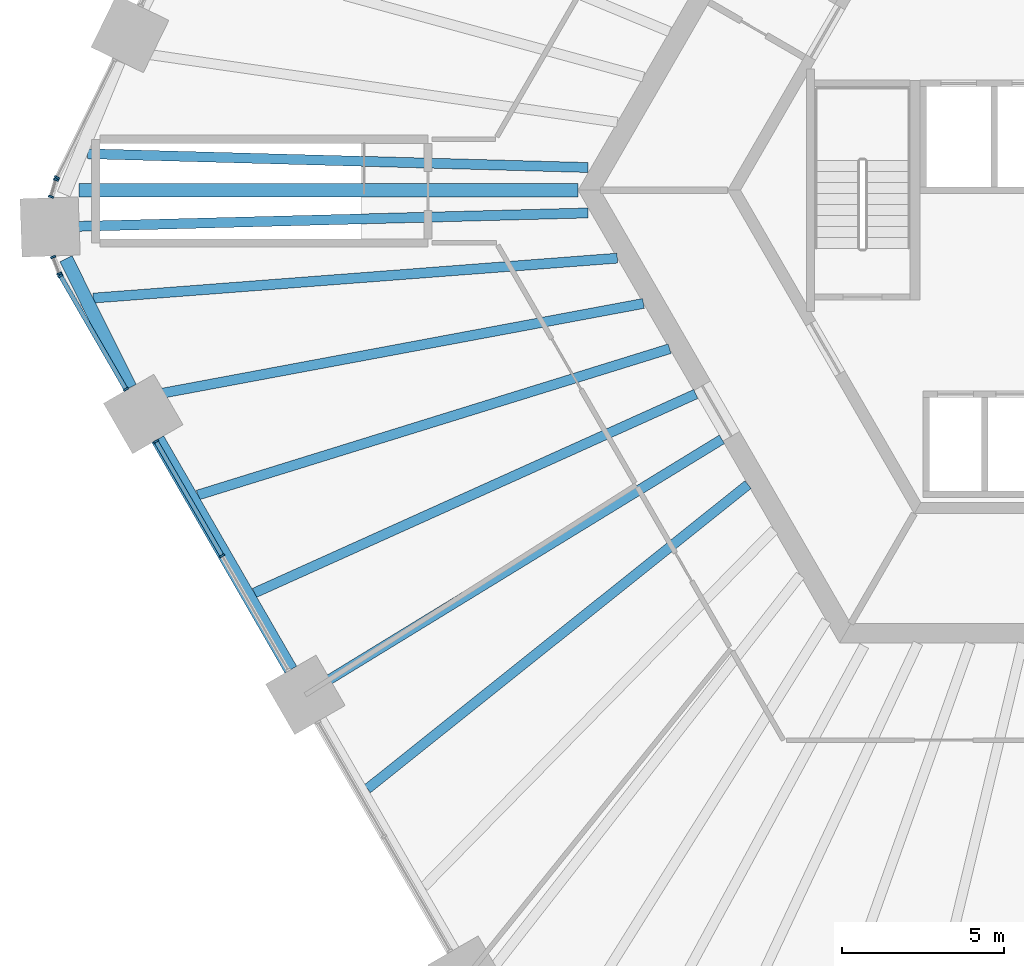
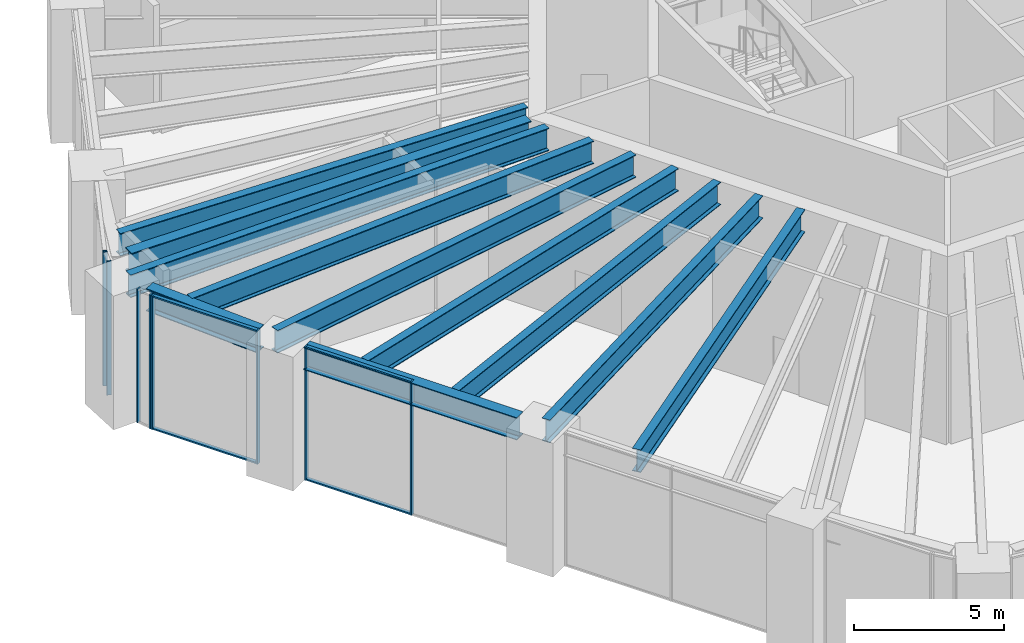
# One storey, part 3 of 25: 13 members, 11 beams, 5 elements without a shape of their own.
"""IFC4 building model written with IfcOpenShell, lengths in metres."""

from ifc_helpers import new_model, si_unit, direction, frame, origin, origin_2d, place, context, subcontext, project, spatial, rectangle, i_section, extrude, material, material_profile, profile_set, type_object, element, aggregate, save


model = new_model("IFC4")

# Units and contexts
model_context = context("Model", 3, precision=1e-05, world=origin(), true_north=direction((0.0, 1.0)))
body_context = subcontext(model_context, "Body", "Model", "MODEL_VIEW")
ifc_project = project(units=[si_unit("LENGTHUNIT", "METRE"), si_unit("AREAUNIT", "SQUARE_METRE"), si_unit("VOLUMEUNIT", "CUBIC_METRE"), si_unit("PLANEANGLEUNIT", "RADIAN"), si_unit("MASSUNIT", "GRAM", prefix="KILO")], contexts=[model_context])

# Site, building, storey
site_placement = place(None, origin())
site = spatial("IfcSite", under=ifc_project, at=site_placement, CompositionType="ELEMENT")
building_placement = place(site_placement, origin())
building = spatial("IfcBuilding", under=site, at=building_placement, Name="Tarnside Tower", CompositionType="ELEMENT")
storey_placement = place(building_placement, frame((0.0, 0.0, 26.0)))
storey = spatial("IfcBuildingStorey", under=building, at=storey_placement, Name="L04", CompositionType="ELEMENT", Elevation=26.0)

# Beams
ifc_material_1 = material(Name="Steel S355", Category="steel")
ifc_material_profile_1 = material_profile(ifc_material_1, i_section(OverallWidth=0.3076171875, OverallDepth=0.926513671875, WebThickness=0.01953125, FlangeThickness=0.031982421875, FilletRadius=0.01904296875, at=origin_2d()), Name="UB 914x305x289")
ifc_profile_set_1 = profile_set([ifc_material_profile_1], Name="Steel S355")
beam_type_1 = type_object("IfcBeamType", Name="Floor beam UB 914x305x289", PredefinedType="BEAM", material=ifc_profile_set_1)
beam_1_placement = place(storey_placement, frame((-31.3232421875, 1.1279296875, 4.73681640625), z_axis=(0.999621916904, -0.027495876889, 0.0), x_axis=(0.027495876889, 0.999621916904, 0.0)))
element("IfcBeam", 1, at=beam_1_placement, inside=storey, type_object=beam_type_1, Name="Floor beam F2.09", PredefinedType="BEAM", context=body_context, shape_type="SweptSolid", body=[
    extrude(i_section(OverallWidth=0.3076171875, OverallDepth=0.926513671875, WebThickness=0.01953125, FlangeThickness=0.031982421875, FilletRadius=0.01904296875, at=origin_2d()), origin(), (0.0, 0.0, 1.0), 15.467529296875),
])
beam_2_placement = place(storey_placement, frame((-32.251708984375, -1.133544921875, 4.73681640625), z_axis=(0.999654578546, 0.026281620805, 0.0), x_axis=(-0.026281620805, 0.999654578546, 0.0)))
element("IfcBeam", 2, at=beam_2_placement, inside=storey, type_object=beam_type_1, Name="Floor beam C2", PredefinedType="BEAM", context=body_context, shape_type="SweptSolid", body=[
    extrude(i_section(OverallWidth=0.3076171875, OverallDepth=0.926513671875, WebThickness=0.01953125, FlangeThickness=0.031982421875, FilletRadius=0.01904296875, at=origin_2d()), origin(), (0.0, 0.0, 1.0), 16.395751953125),
])
beam_3_placement = place(storey_placement, frame((-31.15625, -3.33447265625, 4.73681640625), z_axis=(0.997110688509, 0.075962325269, 0.0), x_axis=(-0.075962325269, 0.997110688509, 0.0)))
element("IfcBeam", 3, at=beam_3_placement, inside=storey, type_object=beam_type_1, Name="Floor beam F3.01", PredefinedType="BEAM", context=body_context, shape_type="SweptSolid", body=[
    extrude(i_section(OverallWidth=0.3076171875, OverallDepth=0.926513671875, WebThickness=0.01953125, FlangeThickness=0.031982421875, FilletRadius=0.01904296875, at=origin_2d()), origin(), (0.0, 0.0, 1.0), 16.249755859375),
])
beam_4_placement = place(storey_placement, frame((-29.635498046875, -6.389892578125, 4.73681640625), z_axis=(0.983039284809, 0.183395104955, 0.0), x_axis=(-0.183395104955, 0.983039284809, 0.0)))
element("IfcBeam", 4, at=beam_4_placement, inside=storey, type_object=beam_type_1, Name="Floor beam F3.02", PredefinedType="BEAM", context=body_context, shape_type="SweptSolid", body=[
    extrude(i_section(OverallWidth=0.3076171875, OverallDepth=0.926513671875, WebThickness=0.01953125, FlangeThickness=0.031982421875, FilletRadius=0.01904296875, at=origin_2d()), origin(), (0.0, 0.0, 1.0), 15.7578125),
])
beam_5_placement = place(storey_placement, frame((-27.919189453125, -9.422119140625, 4.73681640625), z_axis=(0.955125617377, 0.2962010382, 0.0), x_axis=(-0.2962010382, 0.955125617377, 0.0)))
element("IfcBeam", 5, at=beam_5_placement, inside=storey, type_object=beam_type_1, Name="Floor beam F3.03", PredefinedType="BEAM", context=body_context, shape_type="SweptSolid", body=[
    extrude(i_section(OverallWidth=0.3076171875, OverallDepth=0.926513671875, WebThickness=0.01953125, FlangeThickness=0.031982421875, FilletRadius=0.01904296875, at=origin_2d()), origin(), (0.0, 0.0, 1.0), 15.267333984375),
])
beam_6_placement = place(storey_placement, frame((-26.171875, -12.44873046875, 4.73681640625), z_axis=(0.911691503599, 0.410875409662, 0.0), x_axis=(-0.410875409662, 0.911691503599, 0.0)))
element("IfcBeam", 6, at=beam_6_placement, inside=storey, type_object=beam_type_1, Name="Floor beam F3.04", PredefinedType="BEAM", context=body_context, shape_type="SweptSolid", body=[
    extrude(i_section(OverallWidth=0.3076171875, OverallDepth=0.926513671875, WebThickness=0.01953125, FlangeThickness=0.031982421875, FilletRadius=0.01904296875, at=origin_2d()), origin(), (0.0, 0.0, 1.0), 14.96484375),
])
beam_7_placement = place(storey_placement, frame((-24.42431640625, -15.47509765625, 4.73681640625), z_axis=(0.852937246249, 0.522013461475, 0.0), x_axis=(-0.522013461475, 0.852937246249, 0.0)))
element("IfcBeam", 7, at=beam_7_placement, inside=storey, type_object=beam_type_1, Name="Floor beam F3.05", PredefinedType="BEAM", context=body_context, shape_type="SweptSolid", body=[
    extrude(i_section(OverallWidth=0.3076171875, OverallDepth=0.926513671875, WebThickness=0.01953125, FlangeThickness=0.031982421875, FilletRadius=0.01904296875, at=origin_2d()), origin(), (0.0, 0.0, 1.0), 14.89453125),
])
beam_8_placement = place(storey_placement, frame((-22.677001953125, -18.501708984375, 4.73681640625), z_axis=(0.78120872965, 0.62426991015, 0.0), x_axis=(-0.62426991015, 0.78120872965, 0.0)))
element("IfcBeam", 8, at=beam_8_placement, inside=storey, type_object=beam_type_1, Name="Floor beam F3.06", PredefinedType="BEAM", context=body_context, shape_type="SweptSolid", body=[
    extrude(i_section(OverallWidth=0.3076171875, OverallDepth=0.926513671875, WebThickness=0.01953125, FlangeThickness=0.031982421875, FilletRadius=0.01904296875, at=origin_2d()), origin(), (0.0, 0.0, 1.0), 15.06005859375),
])
ifc_material_2 = material(Name="Steel S460", Category="steel")
ifc_material_profile_2 = material_profile(ifc_material_2, i_section(OverallWidth=0.42041015625, OverallDepth=0.9208984375, WebThickness=0.021484375, FlangeThickness=0.03662109375, FilletRadius=0.024169921875, at=origin_2d()), Name="UB 914x419x388")
ifc_profile_set_2 = profile_set([ifc_material_profile_2], Name="Steel S460")
beam_type_2 = type_object("IfcBeamType", Name="Perimeter girder UB 914x419x388", PredefinedType="BEAM", material=ifc_profile_set_2)
beam_9_placement = place(storey_placement, frame((-31.995849609375, -2.119140625, 4.739501953125), z_axis=(0.44551934757, -0.895272311055, 0.0), x_axis=(0.895272311055, 0.44551934757, 0.0)))
element("IfcBeam", 9, at=beam_9_placement, inside=storey, type_object=beam_type_2, Name="Perimeter girder M08", PredefinedType="BEAM", context=body_context, shape_type="SweptSolid", body=[
    extrude(i_section(OverallWidth=0.42041015625, OverallDepth=0.9208984375, WebThickness=0.021484375, FlangeThickness=0.03662109375, FilletRadius=0.024169921875, at=origin_2d()), origin(), (0.0, 0.0, 1.0), 4.4404296875),
])
beam_10_placement = place(storey_placement, frame((-29.15771484375, -7.697509765625, 4.739501953125), z_axis=(0.500002567197, -0.866023921607, 0.0), x_axis=(0.866023921607, 0.500002567197, 0.0)))
element("IfcBeam", 10, at=beam_10_placement, inside=storey, type_object=beam_type_2, Name="Perimeter girder M09", PredefinedType="BEAM", context=body_context, shape_type="SweptSolid", body=[
    extrude(i_section(OverallWidth=0.42041015625, OverallDepth=0.9208984375, WebThickness=0.021484375, FlangeThickness=0.03662109375, FilletRadius=0.024169921875, at=origin_2d()), origin(), (0.0, 0.0, 1.0), 8.2236328125),
])
beam_11_placement = place(storey_placement, frame((-16.165771484375, 0.0, 4.739501953125), z_axis=(-1.0, 0.0, 0.0), x_axis=(0.0, -1.0, 0.0)))
element("IfcBeam", 11, at=beam_11_placement, inside=storey, type_object=beam_type_2, Name="Perimeter girder SG2", PredefinedType="BEAM", context=body_context, shape_type="SweptSolid", body=[
    extrude(i_section(OverallWidth=0.42041015625, OverallDepth=0.9208984375, WebThickness=0.021484375, FlangeThickness=0.03662109375, FilletRadius=0.024169921875, at=origin_2d()), origin(), (0.0, 0.0, 1.0), 15.420166015625),
])

# Curtain wall, member
ifc_material_3 = material(Name="Retail shopfront glazing wall", Category="glass")
curtain_wall_type = type_object("IfcCurtainWallType", Name="Retail shopfront glazing wall", PredefinedType="NOTDEFINED", material=ifc_material_3)
curtain_wall_1_placement = place(storey_placement, origin())
curtain_wall_1 = element("IfcCurtainWall", 12, at=curtain_wall_1_placement, inside=storey, type_object=curtain_wall_type, Name="Retail shopfront glazing L04 06.0", PredefinedType="NOTDEFINED")
ifc_material_4 = material(Name="Aluminium alloy 6063", Category="aluminium")
ifc_material_profile_3 = material_profile(ifc_material_4, rectangle(XDim=0.159912109375, YDim=0.06005859375, at=origin_2d()), Name="Retail shopfront glazing mullion 60 x 160")
ifc_profile_set_3 = profile_set([ifc_material_profile_3], Name="Aluminium alloy 6063")
member_type_1 = type_object("IfcMemberType", Name="Retail shopfront glazing mullion 60 x 160", PredefinedType="MULLION", material=ifc_profile_set_3)
member_1_placement = place(storey_placement, frame((-32.27392578125, 0.393310546875, -0.25), z_axis=(0.0, 0.0, 1.0), x_axis=(0.898794046314, -0.438371146758, 0.0)))
member_1 = element("IfcMember", 13, at=member_1_placement, type_object=member_type_1, Name="CW2 mullion 2", PredefinedType="MULLION", context=body_context, shape_type="SweptSolid", body=[
    extrude(rectangle(XDim=0.159912109375, YDim=0.06005859375, at=origin_2d()), origin(), (0.0, 0.0, 1.0), 5.449951171875),
])
aggregate(curtain_wall_1, [member_1])

# Curtain wall, members
curtain_wall_2_placement = place(storey_placement, origin())
curtain_wall_2 = element("IfcCurtainWall", 14, at=curtain_wall_2_placement, inside=storey, type_object=curtain_wall_type, Name="Retail shopfront glazing L04 06.1", PredefinedType="NOTDEFINED")
member_2_placement = place(storey_placement, frame((-32.30029296875, 0.325439453125, -0.25), z_axis=(0.0, 0.0, 1.0), x_axis=(0.957989512749, -0.286803231262, 0.0)))
member_2 = element("IfcMember", 15, at=member_2_placement, type_object=member_type_1, Name="CW2 mullion 1", PredefinedType="MULLION", context=body_context, shape_type="SweptSolid", body=[
    extrude(rectangle(XDim=0.159912109375, YDim=0.06005859375, at=origin_2d()), origin(), (0.0, 0.0, 1.0), 5.449951171875),
])
member_3_placement = place(storey_placement, frame((-32.45751953125, -0.19970703125, -0.25), z_axis=(0.0, 0.0, 1.0), x_axis=(0.957989512749, -0.286803231262, 0.0)))
member_3 = element("IfcMember", 16, at=member_3_placement, type_object=member_type_1, Name="CW2 mullion 2", PredefinedType="MULLION", context=body_context, shape_type="SweptSolid", body=[
    extrude(rectangle(XDim=0.159912109375, YDim=0.06005859375, at=origin_2d()), origin(), (0.0, 0.0, 1.0), 5.449951171875),
])
aggregate(curtain_wall_2, [member_2, member_3])

curtain_wall_3_placement = place(storey_placement, origin())
curtain_wall_3 = element("IfcCurtainWall", 17, at=curtain_wall_3_placement, inside=storey, type_object=curtain_wall_type, Name="Retail shopfront glazing L04 07.0", PredefinedType="NOTDEFINED")
member_4_placement = place(storey_placement, frame((-32.392578125, -2.06494140625, -0.25), z_axis=(0.0, 0.0, 1.0), x_axis=(0.935649516189, 0.352930563788, 0.0)))
member_4 = element("IfcMember", 18, at=member_4_placement, type_object=member_type_1, Name="CW2 mullion 1", PredefinedType="MULLION", context=body_context, shape_type="SweptSolid", body=[
    extrude(rectangle(XDim=0.159912109375, YDim=0.06005859375, at=origin_2d()), origin(), (0.0, 0.0, 1.0), 5.449951171875),
])
member_5_placement = place(storey_placement, frame((-32.198974609375, -2.577880859375, -0.25), z_axis=(0.0, 0.0, 1.0), x_axis=(0.935649516189, 0.352930563788, 0.0)))
member_5 = element("IfcMember", 19, at=member_5_placement, type_object=member_type_1, Name="CW2 mullion 2", PredefinedType="MULLION", context=body_context, shape_type="SweptSolid", body=[
    extrude(rectangle(XDim=0.159912109375, YDim=0.06005859375, at=origin_2d()), origin(), (0.0, 0.0, 1.0), 5.449951171875),
])
aggregate(curtain_wall_3, [member_4, member_5])

curtain_wall_4_placement = place(storey_placement, origin())
curtain_wall_4 = element("IfcCurtainWall", 20, at=curtain_wall_4_placement, inside=storey, type_object=curtain_wall_type, Name="Retail shopfront glazing L04 07.1", PredefinedType="NOTDEFINED")
member_6_placement = place(storey_placement, frame((-32.167724609375, -2.6435546875, -0.25), z_axis=(0.0, 0.0, 1.0), x_axis=(0.866025403767, 0.50000000003, 0.0)))
member_6 = element("IfcMember", 21, at=member_6_placement, type_object=member_type_1, Name="CW2 mullion 1", PredefinedType="MULLION", context=body_context, shape_type="SweptSolid", body=[
    extrude(rectangle(XDim=0.159912109375, YDim=0.06005859375, at=origin_2d()), origin(), (0.0, 0.0, 1.0), 5.449951171875),
])
member_7_placement = place(storey_placement, frame((-30.141845703125, -6.152587890625, -0.25), z_axis=(0.0, 0.0, 1.0), x_axis=(0.866025403767, 0.50000000003, 0.0)))
member_7 = element("IfcMember", 22, at=member_7_placement, type_object=member_type_1, Name="CW2 mullion 2", PredefinedType="MULLION", context=body_context, shape_type="SweptSolid", body=[
    extrude(rectangle(XDim=0.159912109375, YDim=0.06005859375, at=origin_2d()), origin(), (0.0, 0.0, 1.0), 5.449951171875),
])

curtain_wall_5_placement = place(storey_placement, origin())
curtain_wall_5 = element("IfcCurtainWall", 23, at=curtain_wall_5_placement, inside=storey, type_object=curtain_wall_type, Name="Retail shopfront glazing L04 08.0", PredefinedType="NOTDEFINED")
member_8_placement = place(storey_placement, frame((-29.2119140625, -7.763427734375, -0.25), z_axis=(0.0, 0.0, 1.0), x_axis=(0.866025403819, 0.49999999994, 0.0)))
member_8 = element("IfcMember", 24, at=member_8_placement, type_object=member_type_1, Name="CW2 mullion 1", PredefinedType="MULLION", context=body_context, shape_type="SweptSolid", body=[
    extrude(rectangle(XDim=0.159912109375, YDim=0.06005859375, at=origin_2d()), origin(), (0.0, 0.0, 1.0), 5.449951171875),
])
member_9_placement = place(storey_placement, frame((-27.1708984375, -11.29833984375, -0.25), z_axis=(0.0, 0.0, 1.0), x_axis=(0.866025403819, 0.49999999994, 0.0)))
member_9 = element("IfcMember", 25, at=member_9_placement, type_object=member_type_1, Name="CW2 mullion 2", PredefinedType="MULLION", context=body_context, shape_type="SweptSolid", body=[
    extrude(rectangle(XDim=0.159912109375, YDim=0.06005859375, at=origin_2d()), origin(), (0.0, 0.0, 1.0), 5.449951171875),
])

# Member
ifc_material_profile_4 = material_profile(ifc_material_4, rectangle(XDim=0.139892578125, YDim=0.06005859375, at=origin_2d()), Name="Retail shopfront glazing transom 60 x 140")
ifc_profile_set_4 = profile_set([ifc_material_profile_4], Name="Aluminium alloy 6063")
member_type_2 = type_object("IfcMemberType", Name="Retail shopfront glazing transom 60 x 140", PredefinedType="USERDEFINED", material=ifc_profile_set_4)
member_10_placement = place(storey_placement, frame((-32.15283203125, -2.669677734375, -0.219970703125), z_axis=(0.499987164874, -0.866032814021, 0.0), x_axis=(0.866032814021, 0.499987164874, 0.0)))
member_10 = element("IfcMember", 26, at=member_10_placement, type_object=member_type_2, Name="CW2 transom 1.1", ObjectType="TRANSOM", PredefinedType="USERDEFINED", context=body_context, shape_type="SweptSolid", body=[
    extrude(rectangle(XDim=0.139892578125, YDim=0.06005859375, at=origin_2d()), origin(), (0.0, 0.0, 1.0), 3.99169921875),
])

member_11_placement = place(storey_placement, frame((-32.15283203125, -2.669677734375, 5.169921875), z_axis=(0.499987164874, -0.866032814021, 0.0), x_axis=(0.866032814021, 0.499987164874, 0.0)))
member_11 = element("IfcMember", 27, at=member_11_placement, type_object=member_type_2, Name="CW2 transom 1.2", ObjectType="TRANSOM", PredefinedType="USERDEFINED", context=body_context, shape_type="SweptSolid", body=[
    extrude(rectangle(XDim=0.139892578125, YDim=0.06005859375, at=origin_2d()), origin(), (0.0, 0.0, 1.0), 3.99169921875),
])

aggregate(curtain_wall_4, [member_6, member_7, member_10, member_11])

member_12_placement = place(storey_placement, frame((-29.197021484375, -7.78955078125, -0.219970703125), z_axis=(0.500023722852, -0.866011706956, 0.0), x_axis=(0.866011706956, 0.500023722852, 0.0)))
member_12 = element("IfcMember", 28, at=member_12_placement, type_object=member_type_2, Name="CW2 transom 1.1", ObjectType="TRANSOM", PredefinedType="USERDEFINED", context=body_context, shape_type="SweptSolid", body=[
    extrude(rectangle(XDim=0.139892578125, YDim=0.06005859375, at=origin_2d()), origin(), (0.0, 0.0, 1.0), 4.021728515625),
])

member_13_placement = place(storey_placement, frame((-29.197021484375, -7.78955078125, 5.169921875), z_axis=(0.500023722852, -0.866011706956, 0.0), x_axis=(0.866011706956, 0.500023722852, 0.0)))
member_13 = element("IfcMember", 29, at=member_13_placement, type_object=member_type_2, Name="CW2 transom 1.2", ObjectType="TRANSOM", PredefinedType="USERDEFINED", context=body_context, shape_type="SweptSolid", body=[
    extrude(rectangle(XDim=0.139892578125, YDim=0.06005859375, at=origin_2d()), origin(), (0.0, 0.0, 1.0), 4.021728515625),
])

aggregate(curtain_wall_5, [member_8, member_9, member_12, member_13])

save(model, "model.ifc")
